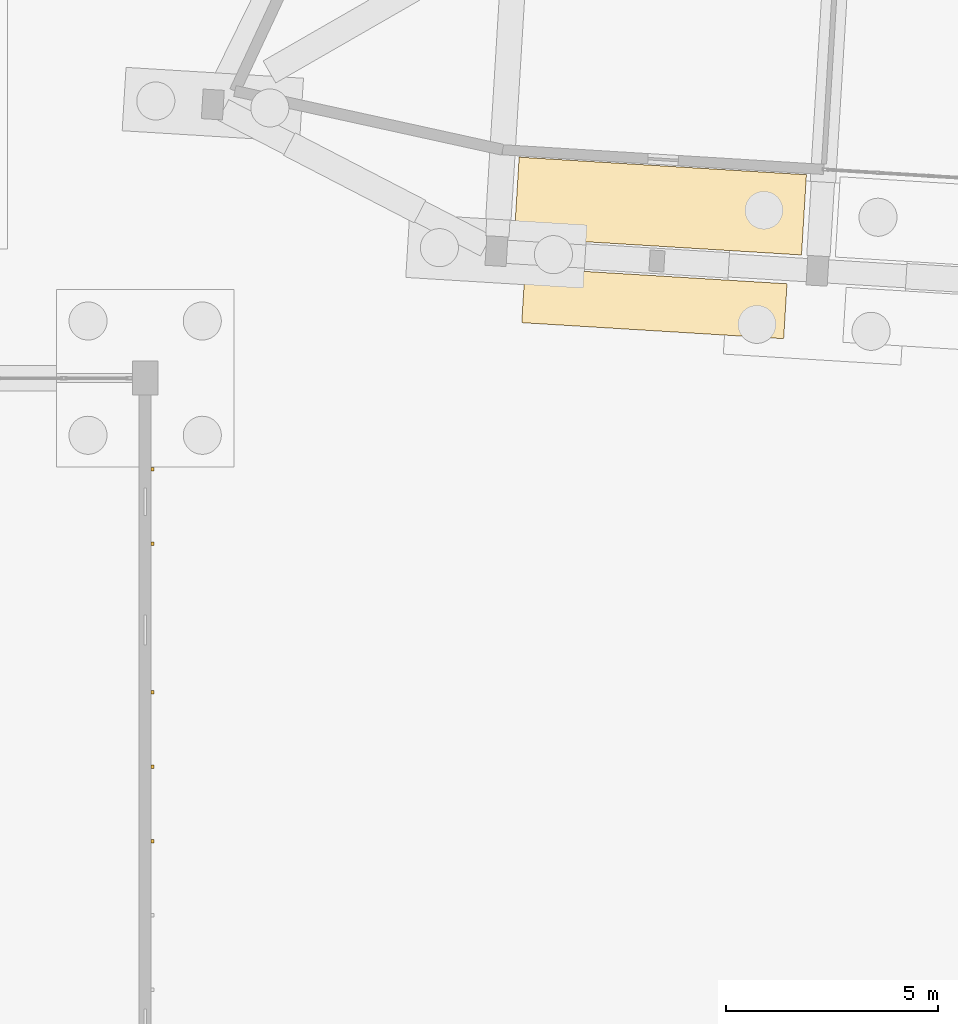
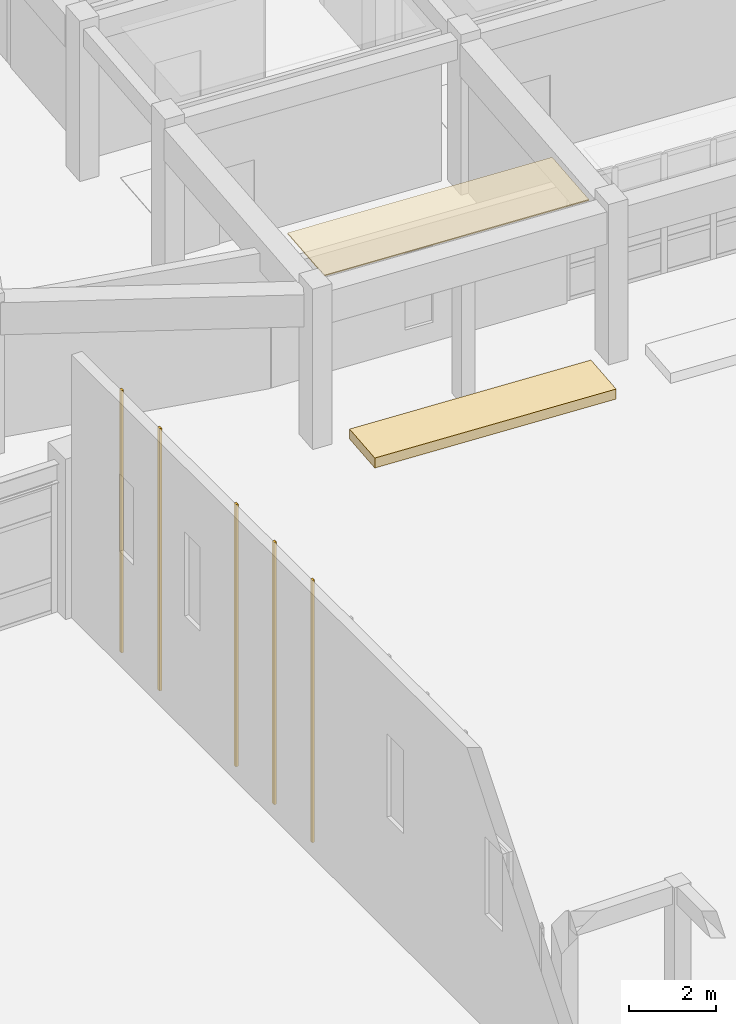
# One storey, part 139 of 154: 7 coverings.
"""IFC4 building model written with IfcOpenShell, lengths in metres."""

from ifc_helpers import new_model, si_unit, direction, frame, origin, origin_2d, place, context, subcontext, project, spatial, polyline, rectangle, outline, extrude, material, layer, layer_set, type_object, element, save


model = new_model("IFC4")

# Units and contexts
model_context = context("Model", 3, precision=1e-05, world=origin(), true_north=direction((0.0, 1.0)))
body_context = subcontext(model_context, "Body", "Model", "MODEL_VIEW")
ifc_project = project(units=[si_unit("LENGTHUNIT", "METRE"), si_unit("AREAUNIT", "SQUARE_METRE"), si_unit("VOLUMEUNIT", "CUBIC_METRE"), si_unit("PLANEANGLEUNIT", "RADIAN"), si_unit("MASSUNIT", "GRAM", prefix="KILO")], contexts=[model_context])

# Site, building, storey
site_placement = place(None, origin())
site = spatial("IfcSite", under=ifc_project, at=site_placement, CompositionType="ELEMENT")
building_placement = place(site_placement, origin())
building = spatial("IfcBuilding", under=site, at=building_placement, Name="Kestramere Prow Commons", CompositionType="ELEMENT")
storey_placement = place(building_placement, origin())
storey = spatial("IfcBuildingStorey", under=building, at=storey_placement, Name="L00", CompositionType="ELEMENT", Elevation=0.0)

# Coverings
ifc_material_1 = material(Name="Weathered Zinc-Titanium Standing-Seam Cladding")
ifc_layer_1 = layer(ifc_material_1, 0.074951171875)
ifc_layer_set_1 = layer_set([ifc_layer_1], Name="Weathered Zinc-Titanium Standing-Seam Cladding")
covering_type_1 = type_object("IfcCoveringType", Name="COV-CLAD-SEAM", PredefinedType="CLADDING", material=ifc_layer_set_1)
for number, where, z_axis, x_axis, name in (
    (1, (51.37255859375, 41.34375, 0.0), (0.0, 0.0, 1.0), (0.0, -1.0, 0.0), "EW-HL-L00-E Standing-Seam Rib 1"),
    (2, (51.37255859375, 39.58740234375, 0.0), (0.0, 0.0, 1.0), (0.0, -1.0, 0.0), "EW-HL-L00-E Standing-Seam Rib 2"),
    (3, (51.37255859375, 36.074951171875, 0.0), (0.0, 0.0, 1.0), (0.0, -1.0, 0.0), "EW-HL-L00-E Standing-Seam Rib 4"),
    (4, (51.37255859375, 34.31884765625, 0.0), (0.0, 0.0, 1.0), (0.0, -1.0, 0.0), "EW-HL-L00-E Standing-Seam Rib 5"),
    (5, (51.37255859375, 32.5625, 0.0), (0.0, 0.0, 1.0), (0.0, -1.0, 0.0), "EW-HL-L00-E Standing-Seam Rib 6"),
):
    element("IfcCovering", number, at=place(storey_placement, frame(where, z_axis=z_axis, x_axis=x_axis)), inside=storey, type_object=covering_type_1, Name=name, PredefinedType="CLADDING", context=body_context, shape_type="SweptSolid", body=[
        extrude(rectangle(XDim=0.0849609375, YDim=0.06494140625, at=origin_2d()), origin(), (0.0, 0.0, 1.0), 7.360107421875),
    ])
ifc_material_2 = material(Name="Planted Tropical Rain-Garden Soil and Foliage")
ifc_layer_2 = layer(ifc_material_2, 0.280029296875)
ifc_layer_set_2 = layer_set([ifc_layer_2], Name="Planted Tropical Rain-Garden Soil and Foliage")
covering_type_2 = type_object("IfcCoveringType", Name="COV-PLANT-STRIP", PredefinedType="USERDEFINED", material=ifc_layer_set_2)
covering_1_placement = place(storey_placement, origin())
element("IfcCovering", 6, at=covering_1_placement, inside=storey, type_object=covering_type_2, Name="Street Setback Planted Landscape Strip PLST-C-S-0", ObjectType="PLANTED STRIP", PredefinedType="USERDEFINED", context=body_context, shape_type="SweptSolid", body=[
    extrude(outline(polyline([(60.17724609375, 46.10791015625), (66.36572265625, 45.7294921875), (66.286376953125, 44.431884765625), (60.097900390625, 44.810302734375), (60.17724609375, 46.10791015625)])), origin(), (0.0, 0.0, 1.0), 0.280029296875),
])
ifc_material_3 = material(Name="Perforated Aluminium Colonnade Soffit Cladding", Category="aluminium")
ifc_layer_3 = layer(ifc_material_3, 0.030029296875)
ifc_layer_set_3 = layer_set([ifc_layer_3], Name="Perforated Aluminium Colonnade Soffit Cladding")
covering_type_3 = type_object("IfcCoveringType", Name="COV-SOFFIT-ALU", PredefinedType="CLADDING", material=ifc_layer_set_3)
covering_2_placement = place(storey_placement, frame((63.372314453125, 47.565673828125, 4.22021484375), z_axis=(0.0, 0.0, 1.0), x_axis=(0.998134798422, -0.061048539535, 0.0)))
element("IfcCovering", 7, at=covering_2_placement, inside=storey, type_object=covering_type_3, Name="Block C South Colonnade Soffit Panel 1", PredefinedType="CLADDING", context=body_context, shape_type="SweptSolid", body=[
    extrude(rectangle(XDim=6.800048828125, YDim=1.89990234375, at=origin_2d()), origin(), (0.0, 0.0, 1.0), 0.030029296875),
])

save(model, "model.ifc")
